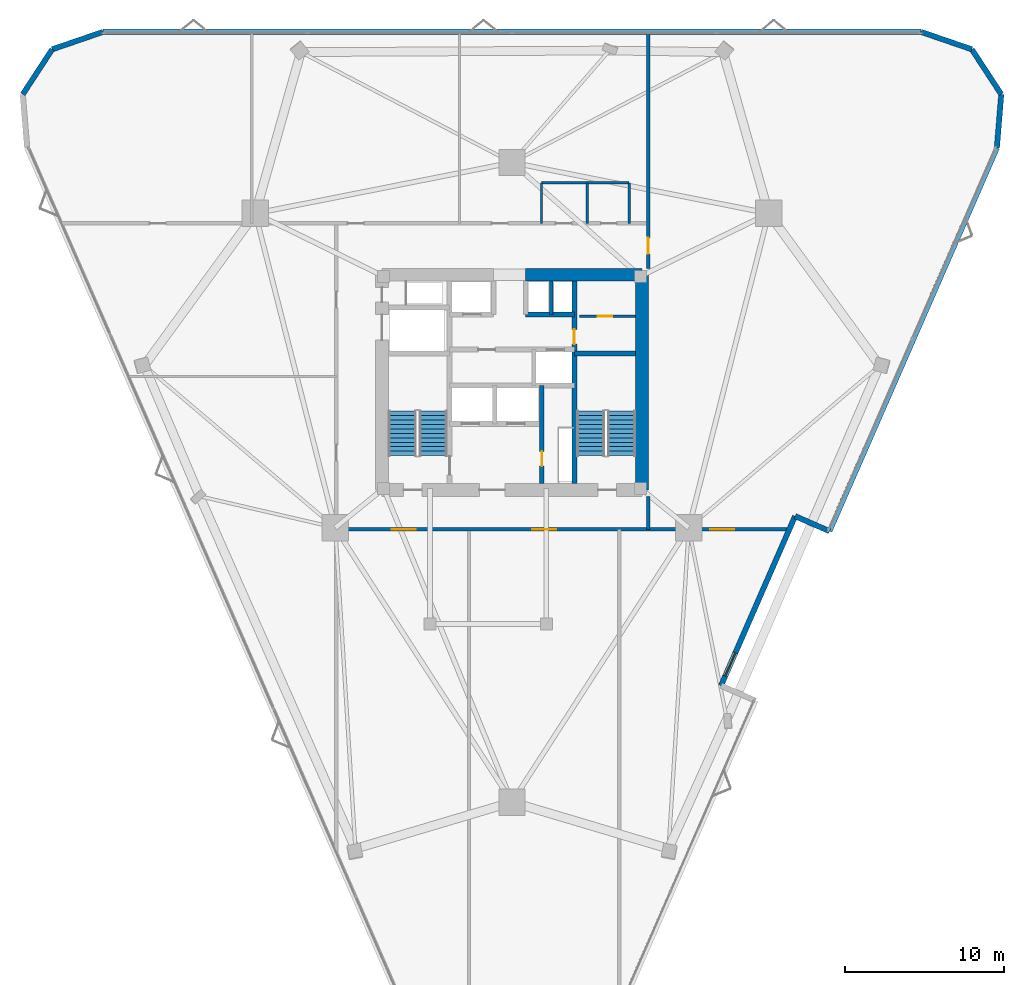
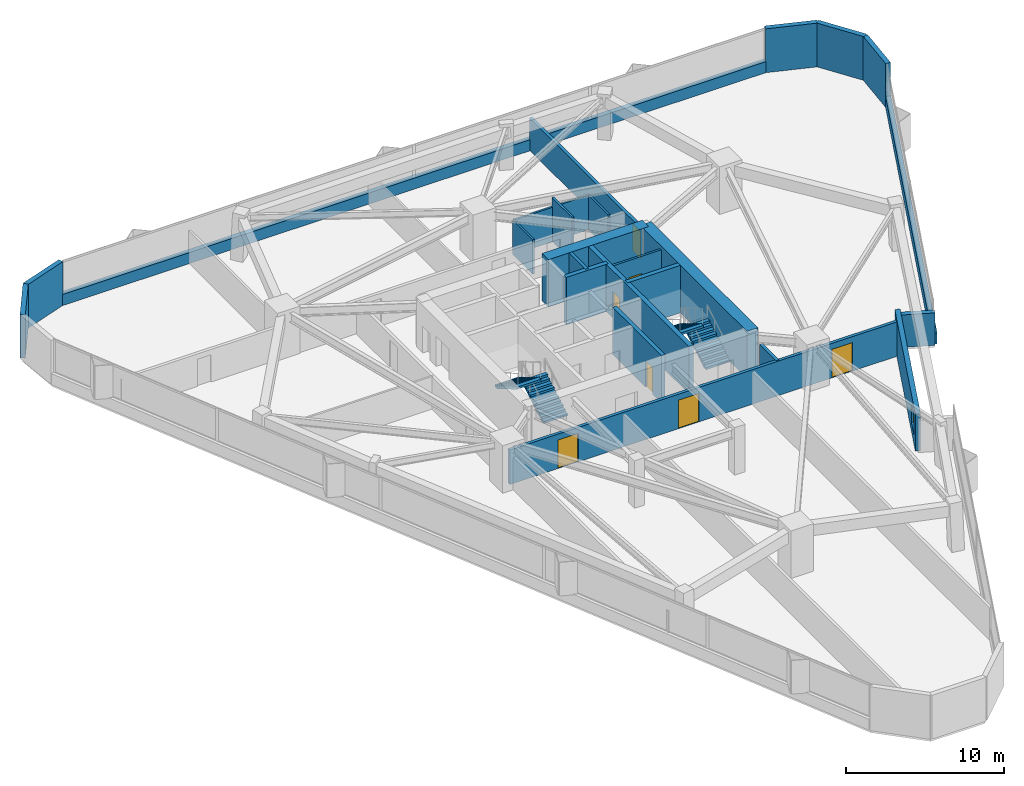
# One storey, part 12 of 13: 24 walls, 7 doors, 4 stair flights, 1 window, 8 openings, 2 elements without a shape of their own.
"""IFC4 building model written with IfcOpenShell, lengths in metres."""

from ifc_helpers import new_model, si_unit, direction, frame, frame_2d, origin, place, context, subcontext, project, spatial, polyline, rectangle, outline, extrude, material, layer, layer_set, type_object, element, fill, aggregate, save


model = new_model("IFC4")

# Units and contexts
model_context = context("Model", 3, precision=1e-05, world=origin(), true_north=direction((0.0, 1.0)))
body_context = subcontext(model_context, "Body", "Model", "MODEL_VIEW")
ifc_project = project(units=[si_unit("LENGTHUNIT", "METRE"), si_unit("AREAUNIT", "SQUARE_METRE"), si_unit("VOLUMEUNIT", "CUBIC_METRE"), si_unit("PLANEANGLEUNIT", "RADIAN"), si_unit("MASSUNIT", "GRAM", prefix="KILO")], contexts=[model_context])

# Site, building, storey
site_placement = place(None, origin())
site = spatial("IfcSite", under=ifc_project, at=site_placement, CompositionType="ELEMENT")
building_placement = place(site_placement, origin())
building = spatial("IfcBuilding", under=site, at=building_placement, Name="Talyreon Biosciences Tower", CompositionType="ELEMENT")
storey_placement = place(building_placement, frame((0.0, 0.0, 104.199951171875)))
storey = spatial("IfcBuildingStorey", under=building, at=storey_placement, Name="L27", CompositionType="ELEMENT", Elevation=104.199951171875)

# Wall
ifc_material_1 = material(Name="Concrete C50/60", Category="concrete")
ifc_layer_1 = layer(ifc_material_1, 0.219970703125)
ifc_layer_set_1 = layer_set([ifc_layer_1], Name="Concrete C50/60")
wall_type_1 = type_object("IfcWallType", Name="CoreShearWall_220", PredefinedType="SHEAR", material=ifc_layer_set_1)
wall_1_placement = place(storey_placement, frame((68.4599609375, 72.25, 0.0), z_axis=(0.0, 0.0, 1.0), x_axis=(0.0, 1.0, 0.0)))
element("IfcWall", 1, at=wall_1_placement, inside=storey, type_object=wall_type_1, Name="L27 Core Shaft Wall SWPHD", PredefinedType="SHEAR", context=body_context, shape_type="SweptSolid", body=[
    extrude(rectangle(XDim=2.10009765625, YDim=0.219970703125, at=frame_2d((1.050048828125, 0.0))), origin(), (0.0, 0.0, 1.0), 3.650146484375),
])

# Wall, opening, door
ifc_layer_2 = layer(ifc_material_1, 0.280029296875)
ifc_layer_set_2 = layer_set([ifc_layer_2], Name="Concrete C50/60")
wall_type_2 = type_object("IfcWallType", Name="CoreShearWall_280", PredefinedType="SHEAR", material=ifc_layer_set_2)
wall_2_placement = place(storey_placement, frame((67.8798828125, 61.64990234375, 0.0), z_axis=(0.0, 0.0, 1.0), x_axis=(0.0, 1.0, 0.0)))
wall_2 = element("IfcWall", 2, at=wall_2_placement, inside=storey, type_object=wall_type_2, Name="L27 Core Shaft Wall SWFFE", PredefinedType="SHEAR", context=body_context, shape_type="SweptSolid", body=[
    extrude(rectangle(XDim=6.150146484375, YDim=0.280029296875, at=frame_2d((3.0751953125, 0.0))), origin(), (0.0, 0.0, 1.0), 3.650146484375),
])
opening_1_placement = place(wall_2_placement, frame((1.10009765625, 0.0, 0.0)))
opening_1 = element("IfcOpeningElement", 3, at=opening_1_placement, cuts=wall_2, Name="Opening DR-L27-RSE", PredefinedType="OPENING", context=body_context, shape_type="SweptSolid", body=[
    extrude(rectangle(XDim=0.919921875, YDim=2.050048828125, at=frame_2d((0.4599609375, 1.02490234375))), frame((0.0, 0.14990234375, 0.0), z_axis=(0.0, -1.0, 0.0), x_axis=(1.0, 0.0, 0.0)), (0.0, 0.0, 1.0), 0.300048828125),
])
ifc_material_2 = material(Name="Painted steel fire-rated riser door", Category="steel")
door_type_1 = type_object("IfcDoorType", Name="RiserPlantAccessDoor_920x2050", OperationType="NOTDEFINED", PredefinedType="DOOR", material=ifc_material_2)
door_1_placement = place(opening_1_placement, origin())
door_1 = element("IfcDoor", 4, at=door_1_placement, inside=storey, type_object=door_type_1, Name="L27 Core Door DR-L27-RSE", OperationType="SINGLE_SWING_RIGHT", OverallHeight=2.050048828125, OverallWidth=0.919921875, PredefinedType="DOOR", context=body_context, shape_type="SweptSolid", body=[
    extrude(rectangle(XDim=0.919921875, YDim=2.050048828125, at=frame_2d((0.4599609375, 1.02490234375))), frame((0.0, 0.02490234375, 0.0), z_axis=(0.0, -1.0, 0.0), x_axis=(1.0, 0.0, 0.0)), (0.0, 0.0, 1.0), 0.050048828125),
])
fill(opening_1, door_1)

ifc_layer_3 = layer(ifc_material_1, 0.320068359375)
ifc_layer_set_3 = layer_set([ifc_layer_3], Name="Concrete C50/60")
wall_type_3 = type_object("IfcWallType", Name="CoreShearWall_320", PredefinedType="SHEAR", material=ifc_layer_set_3)
wall_3_placement = place(storey_placement, frame((69.909912109375, 61.64990234375, 0.0), z_axis=(0.0, 0.0, 1.0), x_axis=(0.0, 1.0, 0.0)))
wall_3 = element("IfcWall", 5, at=wall_3_placement, inside=storey, type_object=wall_type_3, Name="L27 Core Shaft Wall SW2W", PredefinedType="SHEAR", context=body_context, shape_type="SweptSolid", body=[
    extrude(rectangle(XDim=12.7001953125, YDim=0.320068359375, at=frame_2d((6.35009765625, 0.0))), origin(), (0.0, 0.0, 1.0), 3.650146484375),
])
opening_2_placement = place(wall_3_placement, frame((8.75, 0.0, 0.0)))
opening_2 = element("IfcOpeningElement", 6, at=opening_2_placement, cuts=wall_3, Name="Opening DR-L27-CSRV", PredefinedType="OPENING", context=body_context, shape_type="SweptSolid", body=[
    extrude(rectangle(XDim=0.919921875, YDim=2.050048828125, at=frame_2d((0.4599609375, 1.02490234375))), frame((0.0, 0.169921875, 0.0), z_axis=(0.0, -1.0, 0.0), x_axis=(1.0, 0.0, 0.0)), (0.0, 0.0, 1.0), 0.340087890625),
])
door_2_placement = place(opening_2_placement, origin())
door_2 = element("IfcDoor", 7, at=door_2_placement, inside=storey, type_object=door_type_1, Name="L27 Core Door DR-L27-CSRV", OperationType="SINGLE_SWING_RIGHT", OverallHeight=2.050048828125, OverallWidth=0.919921875, PredefinedType="DOOR", context=body_context, shape_type="SweptSolid", body=[
    extrude(rectangle(XDim=0.919921875, YDim=2.050048828125, at=frame_2d((0.4599609375, 1.02490234375))), frame((0.0, 0.02490234375, 0.0), z_axis=(0.0, -1.0, 0.0), x_axis=(1.0, 0.0, 0.0)), (0.0, 0.0, 1.0), 0.050048828125),
])
fill(opening_2, door_2)

# Walls
wall_4_placement = place(storey_placement, frame((69.909912109375, 69.81005859375, 0.0), z_axis=(0.0, 0.0, 1.0), x_axis=(1.0, 0.0, 0.0)))
element("IfcWall", 8, at=wall_4_placement, inside=storey, type_object=wall_type_3, Name="L27 Core Shaft Wall SW2N", PredefinedType="SHEAR", context=body_context, shape_type="SweptSolid", body=[
    extrude(rectangle(XDim=3.840087890625, YDim=0.320068359375, at=frame_2d((1.919921875, 0.0))), origin(), (0.0, 0.0, 1.0), 3.650146484375),
])
wall_5_placement = place(storey_placement, frame((66.85009765625, 72.25, 0.0), z_axis=(0.0, 0.0, 1.0), x_axis=(1.0, 0.0, 0.0)))
element("IfcWall", 9, at=wall_5_placement, inside=storey, type_object=wall_type_3, Name="L27 Core Shaft Wall SWNPE", PredefinedType="SHEAR", context=body_context, shape_type="SweptSolid", body=[
    extrude(rectangle(XDim=3.059814453125, YDim=0.320068359375, at=frame_2d((1.52978515625, 0.0))), origin(), (0.0, 0.0, 1.0), 3.650146484375),
])
ifc_material_3 = material(Name="Concrete C60/75", Category="concrete")
ifc_layer_4 = layer(ifc_material_3, 0.800048828125)
ifc_layer_set_4 = layer_set([ifc_layer_4], Name="Concrete C60/75")
wall_type_4 = type_object("IfcWallType", Name="CoreShearWall_800", PredefinedType="SHEAR", material=ifc_layer_set_4)
wall_6_placement = place(storey_placement, frame((74.14990234375, 61.25, 0.0), z_axis=(0.0, 0.0, 1.0), x_axis=(0.0, 1.0, 0.0)))
element("IfcWall", 10, at=wall_6_placement, inside=storey, type_object=wall_type_4, Name="L27 Core Shear Wall E", PredefinedType="SHEAR", context=body_context, shape_type="SweptSolid", body=[
    extrude(rectangle(XDim=13.5, YDim=0.800048828125, at=frame_2d((6.75, 0.0))), origin(), (0.0, 0.0, 1.0), 3.650146484375),
])
wall_7_placement = place(storey_placement, frame((74.14990234375, 74.75, 0.0), z_axis=(0.0, 0.0, 1.0), x_axis=(-1.0, 0.0, 0.0)))
element("IfcWall", 11, at=wall_7_placement, inside=storey, type_object=wall_type_4, Name="L27 Core Shear Wall NE", PredefinedType="SHEAR", context=body_context, shape_type="SweptSolid", body=[
    extrude(rectangle(XDim=7.2998046875, YDim=0.800048828125, at=frame_2d((3.64990234375, 0.0))), origin(), (0.0, 0.0, 1.0), 3.650146484375),
])

# Wall, openings, doors
ifc_material_4 = material(Name="Gypsum fireboard acoustic stud", Category="gypsum")
ifc_layer_5 = layer(ifc_material_4, 0.219970703125)
ifc_layer_set_5 = layer_set([ifc_layer_5], Name="Gypsum fireboard acoustic stud")
wall_type_5 = type_object("IfcWallType", Name="CorridorRatedPartition_220", PredefinedType="PARTITIONING", material=ifc_layer_set_5)
wall_8_placement = place(storey_placement, frame((54.97998046875, 58.77001953125, 0.0), z_axis=(0.0, 0.0, 1.0), x_axis=(1.0, 0.0, 0.0)))
wall_8 = element("IfcWall", 12, at=wall_8_placement, inside=storey, type_object=wall_type_5, Name="L27 Interior Wall IW-L27-COR-S", PredefinedType="PARTITIONING", context=body_context, shape_type="SweptSolid", body=[
    extrude(rectangle(XDim=28.32373046875, YDim=0.219970703125, at=frame_2d((14.161865234375, 0.0))), origin(), (0.0, 0.0, 1.0), 2.655029296875),
])
opening_3_placement = place(wall_8_placement, frame((3.486083984375, 0.0, 0.0)))
opening_3 = element("IfcOpeningElement", 13, at=opening_3_placement, cuts=wall_8, Name="Opening DR-L27-S1A", PredefinedType="OPENING", context=body_context, shape_type="SweptSolid", body=[
    extrude(rectangle(XDim=1.5, YDim=2.199951171875, at=frame_2d((0.75, 1.10009765625))), frame((0.0, 0.119873046875, 0.0), z_axis=(0.0, -1.0, 0.0), x_axis=(1.0, 0.0, 0.0)), (0.0, 0.0, 1.0), 0.239990234375),
])
opening_4_placement = place(wall_8_placement, frame((12.281982421875, 0.0, 0.0)))
opening_4 = element("IfcOpeningElement", 14, at=opening_4_placement, cuts=wall_8, Name="Opening DR-L27-S2A", PredefinedType="OPENING", context=body_context, shape_type="SweptSolid", body=[
    extrude(rectangle(XDim=1.5, YDim=2.199951171875, at=frame_2d((0.75, 1.10009765625))), frame((0.0, 0.119873046875, 0.0), z_axis=(0.0, -1.0, 0.0), x_axis=(1.0, 0.0, 0.0)), (0.0, 0.0, 1.0), 0.239990234375),
])
opening_5_placement = place(wall_8_placement, frame((23.467041015625, 0.0, 0.0)))
opening_5 = element("IfcOpeningElement", 15, at=opening_5_placement, cuts=wall_8, Name="Opening DR-L27-S3A", PredefinedType="OPENING", context=body_context, shape_type="SweptSolid", body=[
    extrude(rectangle(XDim=1.5, YDim=2.199951171875, at=frame_2d((0.75, 1.10009765625))), frame((0.0, 0.119873046875, 0.0), z_axis=(0.0, -1.0, 0.0), x_axis=(1.0, 0.0, 0.0)), (0.0, 0.0, 1.0), 0.239990234375),
])
ifc_material_5 = material(Name="Vision-panel steel laboratory fire door", Category="steel")
door_type_2 = type_object("IfcDoorType", Name="WetLabDoubleLeafDoor_1500x2200", OperationType="DOUBLE_DOOR_SINGLE_SWING", PredefinedType="DOOR", material=ifc_material_5)
door_3_placement = place(opening_3_placement, origin())
door_3 = element("IfcDoor", 16, at=door_3_placement, inside=storey, type_object=door_type_2, Name="L27 Interior Door DR-L27-S1A", OperationType="DOUBLE_DOOR_SINGLE_SWING", OverallHeight=2.199951171875, OverallWidth=1.5, PredefinedType="DOOR", context=body_context, shape_type="SweptSolid", body=[
    extrude(rectangle(XDim=1.5, YDim=2.199951171875, at=frame_2d((0.75, 1.10009765625))), frame((0.0, 0.02490234375, 0.0), z_axis=(0.0, -1.0, 0.0), x_axis=(1.0, 0.0, 0.0)), (0.0, 0.0, 1.0), 0.050048828125),
])
fill(opening_3, door_3)
door_4_placement = place(opening_4_placement, origin())
door_4 = element("IfcDoor", 17, at=door_4_placement, inside=storey, type_object=door_type_2, Name="L27 Interior Door DR-L27-S2A", OperationType="DOUBLE_DOOR_SINGLE_SWING", OverallHeight=2.199951171875, OverallWidth=1.5, PredefinedType="DOOR", context=body_context, shape_type="SweptSolid", body=[
    extrude(rectangle(XDim=1.5, YDim=2.199951171875, at=frame_2d((0.75, 1.10009765625))), frame((0.0, 0.02490234375, 0.0), z_axis=(0.0, -1.0, 0.0), x_axis=(1.0, 0.0, 0.0)), (0.0, 0.0, 1.0), 0.050048828125),
])
fill(opening_4, door_4)
door_5_placement = place(opening_5_placement, origin())
door_5 = element("IfcDoor", 18, at=door_5_placement, inside=storey, type_object=door_type_2, Name="L27 Interior Door DR-L27-S3A", OperationType="DOUBLE_DOOR_SINGLE_SWING", OverallHeight=2.199951171875, OverallWidth=1.5, PredefinedType="DOOR", context=body_context, shape_type="SweptSolid", body=[
    extrude(rectangle(XDim=1.5, YDim=2.199951171875, at=frame_2d((0.75, 1.10009765625))), frame((0.0, 0.02490234375, 0.0), z_axis=(0.0, -1.0, 0.0), x_axis=(1.0, 0.0, 0.0)), (0.0, 0.0, 1.0), 0.050048828125),
])
fill(opening_5, door_5)

# Wall, opening, door
wall_9_placement = place(storey_placement, frame((74.550048828125, 75.14990234375, 0.0), z_axis=(0.0, 0.0, 1.0), x_axis=(0.0, 1.0, 0.0)))
wall_9 = element("IfcWall", 19, at=wall_9_placement, inside=storey, type_object=wall_type_5, Name="L27 Interior Wall IW-L27-ECAP-N", PredefinedType="PARTITIONING", context=body_context, shape_type="SweptSolid", body=[
    extrude(rectangle(XDim=14.751708984375, YDim=0.219970703125, at=frame_2d((7.3759765625, 0.0))), origin(), (0.0, 0.0, 1.0), 2.505126953125),
])
opening_6_placement = place(wall_9_placement, frame((0.909912109375, 0.0, 0.0)))
opening_6 = element("IfcOpeningElement", 20, at=opening_6_placement, cuts=wall_9, Name="Opening DR-L27-E1A", PredefinedType="OPENING", context=body_context, shape_type="SweptSolid", body=[
    extrude(rectangle(XDim=1.0, YDim=2.10009765625, at=frame_2d((0.5, 1.050048828125))), frame((0.0, 0.119873046875, 0.0), z_axis=(0.0, -1.0, 0.0), x_axis=(1.0, 0.0, 0.0)), (0.0, 0.0, 1.0), 0.239990234375),
])
ifc_material_6 = material(Name="Acoustic oak veneer office door", Category="wood")
door_type_3 = type_object("IfcDoorType", Name="WriteupOfficeDoor_1000x2100", OperationType="NOTDEFINED", PredefinedType="DOOR", material=ifc_material_6)
door_6_placement = place(opening_6_placement, origin())
door_6 = element("IfcDoor", 21, at=door_6_placement, inside=storey, type_object=door_type_3, Name="L27 Interior Door DR-L27-E1A", OperationType="SINGLE_SWING_LEFT", OverallHeight=2.10009765625, OverallWidth=1.0, PredefinedType="DOOR", context=body_context, shape_type="SweptSolid", body=[
    extrude(rectangle(XDim=1.0, YDim=2.10009765625, at=frame_2d((0.5, 1.050048828125))), frame((0.0, 0.02490234375, 0.0), z_axis=(0.0, -1.0, 0.0), x_axis=(1.0, 0.0, 0.0)), (0.0, 0.0, 1.0), 0.050048828125),
])
fill(opening_6, door_6)

# Wall
wall_10_placement = place(storey_placement, frame((74.550048828125, 58.77001953125, 0.0), z_axis=(0.0, 0.0, 1.0), x_axis=(0.0, 1.0, 0.0)))
element("IfcWall", 22, at=wall_10_placement, inside=storey, type_object=wall_type_5, Name="L27 Interior Wall IW-L27-ECAP-S", PredefinedType="PARTITIONING", context=body_context, shape_type="SweptSolid", body=[
    extrude(rectangle(XDim=2.080078125, YDim=0.219970703125, at=frame_2d((1.0400390625, 0.0))), origin(), (0.0, 0.0, 1.0), 2.655029296875),
])

# Wall, opening, door
ifc_material_7 = material(Name="Gypsum acoustic stud partition", Category="gypsum")
ifc_layer_6 = layer(ifc_material_7, 0.159912109375)
ifc_layer_set_6 = layer_set([ifc_layer_6], Name="Gypsum acoustic stud partition")
wall_type_6 = type_object("IfcWallType", Name="LabSeparationPartition_160", PredefinedType="PARTITIONING", material=ifc_layer_set_6)
wall_11_placement = place(storey_placement, frame((70.22998046875, 72.14990234375, 0.0), z_axis=(0.0, 0.0, 1.0), x_axis=(1.0, 0.0, 0.0)))
wall_11 = element("IfcWall", 23, at=wall_11_placement, inside=storey, type_object=wall_type_6, Name="L27 Interior Wall IW-L27-CSRV-H", PredefinedType="PARTITIONING", context=body_context, shape_type="SweptSolid", body=[
    extrude(rectangle(XDim=3.52001953125, YDim=0.159912109375, at=frame_2d((1.760009765625, 0.0))), origin(), (0.0, 0.0, 1.0), 3.375),
])
opening_7_placement = place(wall_11_placement, frame((1.14990234375, 0.0, 0.0)))
opening_7 = element("IfcOpeningElement", 24, at=opening_7_placement, cuts=wall_11, Name="Opening DR-L27-CSRV-I", PredefinedType="OPENING", context=body_context, shape_type="SweptSolid", body=[
    extrude(rectangle(XDim=0.919921875, YDim=2.050048828125, at=frame_2d((0.4599609375, 1.02490234375))), frame((0.0, 0.08984375, 0.0), z_axis=(0.0, -1.0, 0.0), x_axis=(1.0, 0.0, 0.0)), (0.0, 0.0, 1.0), 0.179931640625),
])
door_7_placement = place(opening_7_placement, origin())
door_7 = element("IfcDoor", 25, at=door_7_placement, inside=storey, type_object=door_type_1, Name="L27 Interior Door DR-L27-CSRV-I", OperationType="SINGLE_SWING_LEFT", OverallHeight=2.050048828125, OverallWidth=0.919921875, PredefinedType="DOOR", context=body_context, shape_type="SweptSolid", body=[
    extrude(rectangle(XDim=0.919921875, YDim=2.050048828125, at=frame_2d((0.4599609375, 1.02490234375))), frame((0.0, 0.02490234375, 0.0), z_axis=(0.0, -1.0, 0.0), x_axis=(1.0, 0.0, 0.0)), (0.0, 0.0, 1.0), 0.050048828125),
])
fill(opening_7, door_7)

# Walls
ifc_material_8 = material(Name="Precast concrete C45/55", Category="concrete")
ifc_layer_7 = layer(ifc_material_8, 0.340087890625)
ifc_layer_set_7 = layer_set([ifc_layer_7], Name="Precast concrete C45/55")
wall_type_7 = type_object("IfcWallType", Name="PrecastConcreteSpandrelWall_340", PredefinedType="STANDARD", material=ifc_layer_set_7)
for number, where, z_axis, x_axis, name in (
    (26, (35.306396484375, 86.068115234375, 0.0), (0.0, 0.0, 1.0), (0.547617733051, 0.836728640868, 0.0), "L27 Rounded-Corner Concrete Pier 01"),
    (27, (37.154296875, 88.8916015625, 0.0), (0.0, 0.0, 1.0), (0.945890758883, 0.324485241976, 0.0), "L27 Rounded-Corner Concrete Pier 02"),
):
    element("IfcWall", number, at=place(storey_placement, frame(where, z_axis=z_axis, x_axis=x_axis)), inside=storey, type_object=wall_type_7, Name=name, PredefinedType="STANDARD", context=body_context, shape_type="SweptSolid", body=[
        extrude(rectangle(XDim=3.37451171875, YDim=0.340087890625, at=frame_2d((1.687255859375, 0.0))), origin(), (0.0, 0.0, 1.0), 3.375),
    ])
wall_12_placement = place(storey_placement, frame((40.34619140625, 89.986572265625, 0.0), z_axis=(0.0, 0.0, 1.0), x_axis=(1.0, 0.0, 0.0)))
element("IfcWall", 28, at=wall_12_placement, inside=storey, type_object=wall_type_7, Name="L27 Expressed Concrete Sill Wall 03", PredefinedType="STANDARD", context=body_context, shape_type="SweptSolid", body=[
    extrude(rectangle(XDim=51.3076171875, YDim=0.340087890625, at=frame_2d((25.65380859375, 0.0))), origin(), (0.0, 0.0, 1.0), 0.85009765625),
])
for number, where, z_axis, x_axis, name in (
    (29, (91.65380859375, 89.986572265625, 0.0), (0.0, 0.0, 1.0), (0.945890758883, -0.324485241976, 0.0), "L27 Rounded-Corner Concrete Pier 04"),
    (30, (94.845703125, 88.8916015625, 0.0), (0.0, 0.0, 1.0), (0.547617733051, -0.836728640868, 0.0), "L27 Rounded-Corner Concrete Pier 05"),
):
    element("IfcWall", number, at=place(storey_placement, frame(where, z_axis=z_axis, x_axis=x_axis)), inside=storey, type_object=wall_type_7, Name=name, PredefinedType="STANDARD", context=body_context, shape_type="SweptSolid", body=[
        extrude(rectangle(XDim=3.37451171875, YDim=0.340087890625, at=frame_2d((1.687255859375, 0.0))), origin(), (0.0, 0.0, 1.0), 3.375),
    ])
wall_13_placement = place(storey_placement, frame((96.693603515625, 86.068115234375, 0.0), z_axis=(0.0, 0.0, 1.0), x_axis=(-0.081458806321, -0.996676709306, 0.0)))
element("IfcWall", 31, at=wall_13_placement, inside=storey, type_object=wall_type_7, Name="L27 Rounded-Corner Concrete Pier 06", PredefinedType="STANDARD", context=body_context, shape_type="SweptSolid", body=[
    extrude(rectangle(XDim=3.374755859375, YDim=0.340087890625, at=frame_2d((1.6875, 0.0))), origin(), (0.0, 0.0, 1.0), 3.375),
])
wall_14_placement = place(storey_placement, frame((96.418701171875, 82.70458984375, 0.0), z_axis=(0.0, 0.0, 1.0), x_axis=(-0.400378469744, -0.916349868208, 0.0)))
element("IfcWall", 32, at=wall_14_placement, inside=storey, type_object=wall_type_7, Name="L27 Expressed Concrete Sill Wall 07", PredefinedType="STANDARD", context=body_context, shape_type="SweptSolid", body=[
    extrude(rectangle(XDim=26.236083984375, YDim=0.340087890625, at=frame_2d((13.1181640625, 0.0))), origin(), (0.0, 0.0, 1.0), 0.85009765625),
])
wall_15_placement = place(storey_placement, frame((85.914306640625, 58.6630859375, 0.0), z_axis=(0.0, 0.0, 1.0), x_axis=(-0.916355112529, 0.400366466805, 0.0)))
element("IfcWall", 33, at=wall_15_placement, inside=storey, type_object=wall_type_7, Name="L27 Terrace Backing Concrete Wall 08", PredefinedType="STANDARD", context=body_context, shape_type="SweptSolid", body=[
    extrude(rectangle(XDim=2.35009765625, YDim=0.340087890625, at=frame_2d((1.175048828125, 0.0))), origin(), (0.0, 0.0, 1.0), 2.505126953125),
])

# Wall, opening, window
wall_16_placement = place(storey_placement, frame((83.7607421875, 59.60400390625, 0.0), z_axis=(0.0, 0.0, 1.0), x_axis=(-0.40038930263, -0.916345134946, 0.0)))
wall_16 = element("IfcWall", 34, at=wall_16_placement, inside=storey, type_object=wall_type_7, Name="L27 Terrace Backing Concrete Wall 09", PredefinedType="STANDARD", context=body_context, shape_type="SweptSolid", body=[
    extrude(rectangle(XDim=11.60009765625, YDim=0.340087890625, at=frame_2d((5.800048828125, 0.0))), origin(), (0.0, 0.0, 1.0), 2.85498046875),
])
opening_8_placement = place(wall_16_placement, frame((9.35009765625, 0.0, 0.699951171875)))
opening_8 = element("IfcOpeningElement", 35, at=opening_8_placement, cuts=wall_16, Name="Opening W06", PredefinedType="OPENING", context=body_context, shape_type="SweptSolid", body=[
    extrude(rectangle(XDim=1.60009765625, YDim=1.5, at=frame_2d((0.800048828125, 0.75))), frame((0.0, 0.179931640625, 0.0), z_axis=(0.0, -1.0, 0.0), x_axis=(1.0, 0.0, 0.0)), (0.0, 0.0, 1.0), 0.360107421875),
])
ifc_material_9 = material(Name="Thermally broken triple low-E aluminium window", Category="aluminium")
window_type = type_object("IfcWindowType", Name="CrownLouvredWindow_1600x1500", PartitioningType="SINGLE_PANEL", PredefinedType="WINDOW", material=ifc_material_9)
window_placement = place(opening_8_placement, origin())
window = element("IfcWindow", 36, at=window_placement, inside=storey, type_object=window_type, Name="L27 Sky-Garden Loggia Window 09", OverallHeight=1.5, OverallWidth=1.60009765625, PartitioningType="SINGLE_PANEL", PredefinedType="WINDOW", context=body_context, shape_type="SweptSolid", body=[
    extrude(rectangle(XDim=1.60009765625, YDim=1.5, at=frame_2d((0.800048828125, 0.75))), frame((0.0, 0.030029296875, 0.0), z_axis=(0.0, -1.0, 0.0), x_axis=(1.0, 0.0, 0.0)), (0.0, 0.0, 1.0), 0.06005859375),
])
fill(opening_8, window)

# Walls
ifc_material_10 = material(Name="Moisture-resistant cement-board stud", Category="gypsum")
ifc_layer_8 = layer(ifc_material_10, 0.14501953125)
ifc_layer_set_8 = layer_set([ifc_layer_8], Name="Moisture-resistant cement-board stud")
wall_type_8 = type_object("IfcWallType", Name="WetRoomPartition_145", PredefinedType="PARTITIONING", material=ifc_layer_set_8)
wall_17_placement = place(storey_placement, frame((67.85009765625, 77.969970703125, 0.0), z_axis=(0.0, 0.0, 1.0), x_axis=(0.0, 1.0, 0.0)))
element("IfcWall", 37, at=wall_17_placement, inside=storey, type_object=wall_type_8, Name="L27 Interior Wall IW-L27-WCL", PredefinedType="PARTITIONING", context=body_context, shape_type="SweptSolid", body=[
    extrude(rectangle(XDim=2.550048828125, YDim=0.14501953125, at=frame_2d((1.27490234375, 0.0))), origin(), (0.0, 0.0, 1.0), 2.655029296875),
])
wall_18_placement = place(storey_placement, frame((70.72509765625, 77.969970703125, 0.0), z_axis=(0.0, 0.0, 1.0), x_axis=(0.0, 1.0, 0.0)))
element("IfcWall", 38, at=wall_18_placement, inside=storey, type_object=wall_type_8, Name="L27 Interior Wall IW-L27-WCM", PredefinedType="PARTITIONING", context=body_context, shape_type="SweptSolid", body=[
    extrude(rectangle(XDim=2.550048828125, YDim=0.14501953125, at=frame_2d((1.27490234375, 0.0))), origin(), (0.0, 0.0, 1.0), 3.375),
])
wall_19_placement = place(storey_placement, frame((73.35009765625, 77.969970703125, 0.0), z_axis=(0.0, 0.0, 1.0), x_axis=(0.0, 1.0, 0.0)))
element("IfcWall", 39, at=wall_19_placement, inside=storey, type_object=wall_type_8, Name="L27 Interior Wall IW-L27-WCR", PredefinedType="PARTITIONING", context=body_context, shape_type="SweptSolid", body=[
    extrude(rectangle(XDim=2.550048828125, YDim=0.14501953125, at=frame_2d((1.27490234375, 0.0))), origin(), (0.0, 0.0, 1.0), 2.655029296875),
])
wall_20_placement = place(storey_placement, frame((67.85009765625, 80.52001953125, 0.0), z_axis=(0.0, 0.0, 1.0), x_axis=(1.0, 0.0, 0.0)))
element("IfcWall", 40, at=wall_20_placement, inside=storey, type_object=wall_type_8, Name="L27 Interior Wall IW-L27-WCT", PredefinedType="PARTITIONING", context=body_context, shape_type="SweptSolid", body=[
    extrude(rectangle(XDim=5.5, YDim=0.14501953125, at=frame_2d((2.75, 0.0))), origin(), (0.0, 0.0, 1.0), 2.655029296875),
])

# Stair, stair flights
ifc_material_11 = material(Name="Concrete C40/50", Category="concrete")
stair_type = type_object("IfcStairType", Name="DoglegEscapeStair_3650", PredefinedType="HALF_TURN_STAIR", material=ifc_material_11)
stair_1_placement = place(storey_placement, origin())
stair_1 = element("IfcStair", 41, at=stair_1_placement, inside=storey, type_object=stair_type, Name="L27 Core Escape Stair 1", PredefinedType="HALF_TURN_STAIR")
stair_flight_type = type_object("IfcStairFlightType", Name="PrecastStairFlight_3650", PredefinedType="STRAIGHT", material=ifc_material_11)
stair_flight_1_placement = place(storey_placement, frame((61.06005859375, 63.39990234375, 0.0), z_axis=(0.0, 0.0, 1.0), x_axis=(0.0, 1.0, 0.0)))
stair_flight_1 = element("IfcStairFlight", 42, at=stair_flight_1_placement, type_object=stair_flight_type, Name="ST-1 flight 1", NumberOfRisers=11, NumberOfTreads=10, PredefinedType="STRAIGHT", RiserHeight=0.165909091, TreadLength=0.28, context=body_context, shape_type="SweptSolid", body=[
    extrude(outline(polyline([(0.0, 0.0), (0.0, 0.166015625), (0.280029296875, 0.166015625), (0.280029296875, 0.331787109375), (0.56005859375, 0.331787109375), (0.56005859375, 0.497802734375), (0.840087890625, 0.497802734375), (0.840087890625, 0.66357421875), (1.1201171875, 0.66357421875), (1.1201171875, 0.82958984375), (1.39990234375, 0.82958984375), (1.39990234375, 0.995361328125), (1.679931640625, 0.995361328125), (1.679931640625, 1.161376953125), (1.9599609375, 1.161376953125), (1.9599609375, 1.327392578125), (2.239990234375, 1.327392578125), (2.239990234375, 1.4931640625), (2.52001953125, 1.4931640625), (2.52001953125, 1.6591796875), (2.800048828125, 1.6591796875), (2.800048828125, 1.824951171875), (2.800048828125, 1.48486328125), (0.2939453125, 0.0), (0.0, 0.0)])), frame((0.0, 0.8701171875, 0.0), z_axis=(0.0, -1.0, 0.0), x_axis=(1.0, 0.0, 0.0)), (0.0, 0.0, 1.0), 1.739990234375),
])
stair_flight_2_placement = place(storey_placement, frame((59.1201171875, 66.199951171875, 1.824951171875), z_axis=(0.0, 0.0, 1.0), x_axis=(0.0, -1.0, 0.0)))
stair_flight_2 = element("IfcStairFlight", 43, at=stair_flight_2_placement, type_object=stair_flight_type, Name="ST-1 flight 2", NumberOfRisers=11, NumberOfTreads=10, PredefinedType="STRAIGHT", RiserHeight=0.165909091, TreadLength=0.28, context=body_context, shape_type="SweptSolid", body=[
    extrude(outline(polyline([(0.0, 0.0), (0.0, 0.166015625), (0.280029296875, 0.166015625), (0.280029296875, 0.331787109375), (0.56005859375, 0.331787109375), (0.56005859375, 0.497802734375), (0.840087890625, 0.497802734375), (0.840087890625, 0.66357421875), (1.1201171875, 0.66357421875), (1.1201171875, 0.82958984375), (1.39990234375, 0.82958984375), (1.39990234375, 0.995361328125), (1.679931640625, 0.995361328125), (1.679931640625, 1.161376953125), (1.9599609375, 1.161376953125), (1.9599609375, 1.327392578125), (2.239990234375, 1.327392578125), (2.239990234375, 1.4931640625), (2.52001953125, 1.4931640625), (2.52001953125, 1.6591796875), (2.800048828125, 1.6591796875), (2.800048828125, 1.824951171875), (2.800048828125, 1.48486328125), (0.2939453125, 0.0), (0.0, 0.0)])), frame((0.0, 0.8701171875, 0.0), z_axis=(0.0, -1.0, 0.0), x_axis=(1.0, 0.0, 0.0)), (0.0, 0.0, 1.0), 1.739990234375),
])
aggregate(stair_1, [stair_flight_1, stair_flight_2])

stair_2_placement = place(storey_placement, origin())
stair_2 = element("IfcStair", 44, at=stair_2_placement, inside=storey, type_object=stair_type, Name="L27 Core Escape Stair 2", PredefinedType="HALF_TURN_STAIR")
stair_flight_3_placement = place(storey_placement, frame((72.8798828125, 63.39990234375, 0.0), z_axis=(0.0, 0.0, 1.0), x_axis=(0.0, 1.0, 0.0)))
stair_flight_3 = element("IfcStairFlight", 45, at=stair_flight_3_placement, type_object=stair_flight_type, Name="ST-2 flight 1", NumberOfRisers=11, NumberOfTreads=10, PredefinedType="STRAIGHT", RiserHeight=0.165909091, TreadLength=0.28, context=body_context, shape_type="SweptSolid", body=[
    extrude(outline(polyline([(0.0, 0.0), (0.0, 0.166015625), (0.280029296875, 0.166015625), (0.280029296875, 0.331787109375), (0.56005859375, 0.331787109375), (0.56005859375, 0.497802734375), (0.840087890625, 0.497802734375), (0.840087890625, 0.66357421875), (1.1201171875, 0.66357421875), (1.1201171875, 0.82958984375), (1.39990234375, 0.82958984375), (1.39990234375, 0.995361328125), (1.679931640625, 0.995361328125), (1.679931640625, 1.161376953125), (1.9599609375, 1.161376953125), (1.9599609375, 1.327392578125), (2.239990234375, 1.327392578125), (2.239990234375, 1.4931640625), (2.52001953125, 1.4931640625), (2.52001953125, 1.6591796875), (2.800048828125, 1.6591796875), (2.800048828125, 1.824951171875), (2.800048828125, 1.48486328125), (0.2939453125, 0.0), (0.0, 0.0)])), frame((0.0, 0.8701171875, 0.0), z_axis=(0.0, -1.0, 0.0), x_axis=(1.0, 0.0, 0.0)), (0.0, 0.0, 1.0), 1.739990234375),
])
stair_flight_4_placement = place(storey_placement, frame((70.93994140625, 66.199951171875, 1.824951171875), z_axis=(0.0, 0.0, 1.0), x_axis=(0.0, -1.0, 0.0)))
stair_flight_4 = element("IfcStairFlight", 46, at=stair_flight_4_placement, type_object=stair_flight_type, Name="ST-2 flight 2", NumberOfRisers=11, NumberOfTreads=10, PredefinedType="STRAIGHT", RiserHeight=0.165909091, TreadLength=0.28, context=body_context, shape_type="SweptSolid", body=[
    extrude(outline(polyline([(0.0, 0.0), (0.0, 0.166015625), (0.280029296875, 0.166015625), (0.280029296875, 0.331787109375), (0.56005859375, 0.331787109375), (0.56005859375, 0.497802734375), (0.840087890625, 0.497802734375), (0.840087890625, 0.66357421875), (1.1201171875, 0.66357421875), (1.1201171875, 0.82958984375), (1.39990234375, 0.82958984375), (1.39990234375, 0.995361328125), (1.679931640625, 0.995361328125), (1.679931640625, 1.161376953125), (1.9599609375, 1.161376953125), (1.9599609375, 1.327392578125), (2.239990234375, 1.327392578125), (2.239990234375, 1.4931640625), (2.52001953125, 1.4931640625), (2.52001953125, 1.6591796875), (2.800048828125, 1.6591796875), (2.800048828125, 1.824951171875), (2.800048828125, 1.48486328125), (0.2939453125, 0.0), (0.0, 0.0)])), frame((0.0, 0.8701171875, 0.0), z_axis=(0.0, -1.0, 0.0), x_axis=(1.0, 0.0, 0.0)), (0.0, 0.0, 1.0), 1.739990234375),
])
aggregate(stair_2, [stair_flight_3, stair_flight_4])

save(model, "model.ifc")
